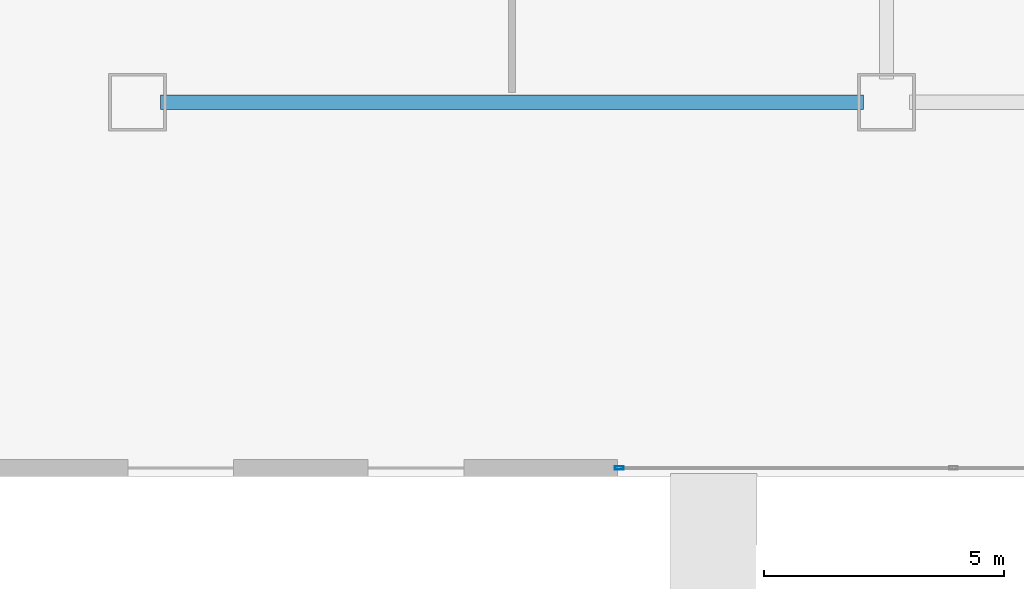
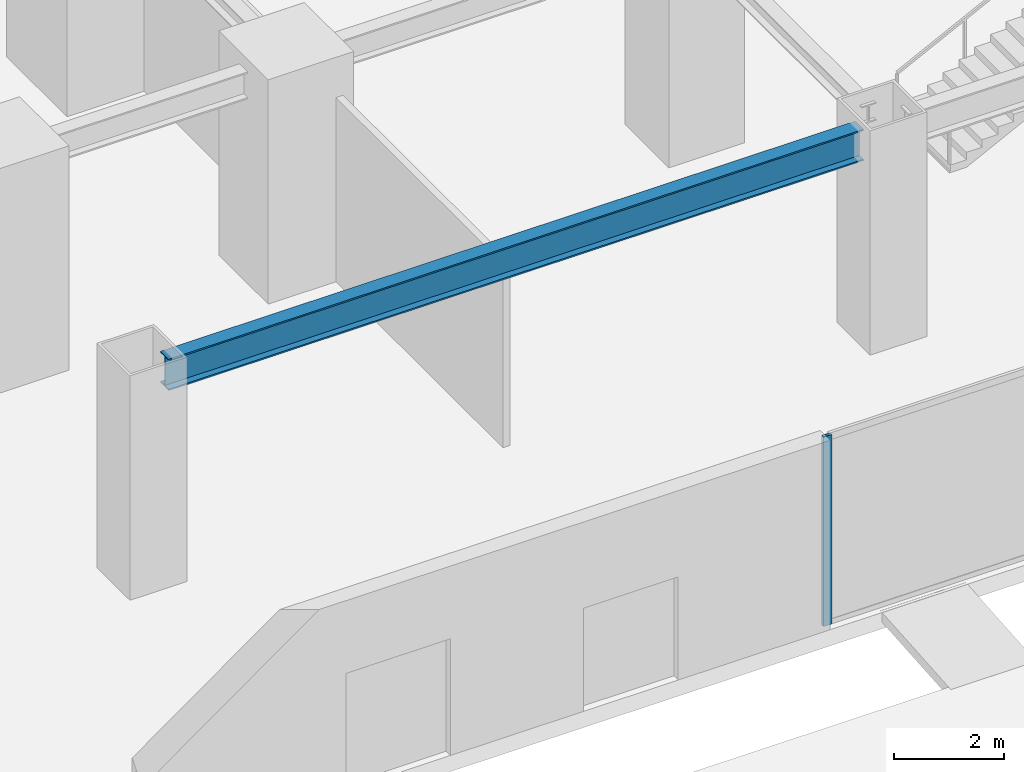
# One storey, part 2 of 18: 1 beam, 1 member, 1 element without a shape of its own.
"""IFC4 building model written with IfcOpenShell, lengths in metres."""

from ifc_helpers import new_model, si_unit, direction, frame, origin, origin_2d, place, context, subcontext, project, spatial, hollow_rectangle, i_section, extrude, source, transform, mapped, material, layer, layer_set, material_profile, profile_set, type_object, element, aggregate, save


model = new_model("IFC4")

# Units and contexts
model_context = context("Model", 3, precision=1e-05, world=origin(), true_north=direction((0.0, 1.0)))
body_context = subcontext(model_context, "Body", "Model", "MODEL_VIEW")
ifc_project = project(units=[si_unit("LENGTHUNIT", "METRE"), si_unit("AREAUNIT", "SQUARE_METRE"), si_unit("VOLUMEUNIT", "CUBIC_METRE"), si_unit("PLANEANGLEUNIT", "RADIAN"), si_unit("MASSUNIT", "GRAM", prefix="KILO")], contexts=[model_context])

# Site, building, storey
site_placement = place(None, origin())
site = spatial("IfcSite", under=ifc_project, at=site_placement, CompositionType="ELEMENT")
building_placement = place(site_placement, origin())
building = spatial("IfcBuilding", under=site, at=building_placement, Name="Sumidabori Civic Tower", CompositionType="ELEMENT")
storey_placement = place(building_placement, origin())
storey = spatial("IfcBuildingStorey", under=building, at=storey_placement, Name="L00", CompositionType="ELEMENT", Elevation=0.0)

# Beam
ifc_material_1 = material(Name="Steel SN490", Category="steel")
ifc_material_profile_1 = material_profile(ifc_material_1, i_section(OverallWidth=0.300048828125, OverallDepth=0.699951171875, WebThickness=0.01708984375, FlangeThickness=0.031982421875, at=origin_2d()), Name="HE 700 B")
ifc_profile_set_1 = profile_set([ifc_material_profile_1], Name="Steel SN490")
beam_type = type_object("IfcBeamType", Name="BM-GIRD-700", PredefinedType="BEAM", material=ifc_profile_set_1)
shared_shape_1 = source(origin(), body_context, "Body", "SweptSolid", [
    extrude(i_section(OverallWidth=0.300048828125, OverallDepth=0.699951171875, WebThickness=0.01708984375, FlangeThickness=0.031982421875, at=origin_2d()), origin(), (0.0, 0.0, 1.0), 14.64013671875),
])
beam_placement = place(storey_placement, frame((-23.52001953125, -25.199951171875, 4.3701171875), z_axis=(1.0, 0.0, 0.0), x_axis=(0.0, 1.0, 0.0)))
element("IfcBeam", 1, at=beam_placement, inside=storey, type_object=beam_type, Name="Primary Girder L00 GX-01", PredefinedType="BEAM", context=body_context, shape_type="MappedRepresentation", body=[
    mapped(shared_shape_1, transform((0.0, 0.0, 0.0), x_axis=(1.0, 0.0, 0.0), y_axis=(0.0, 1.0, 0.0), z_axis=(0.0, 0.0, 1.0), scale=1.0)),
])

# Curtain wall, member
ifc_material_2 = material(Name="Anodised Bronze Aluminium AW-6063-T6", Category="aluminium")
ifc_layer = layer(ifc_material_2, 0.179931640625, Name="Anodised Bronze Aluminium AW-6063-T6")
ifc_layer_set = layer_set([ifc_layer], Name="Anodised Bronze Aluminium AW-6063-T6")
curtain_wall_type = type_object("IfcCurtainWallType", Name="CW-SYS-1", PredefinedType="NOTDEFINED", material=ifc_layer_set)
curtain_wall_placement = place(storey_placement, origin())
curtain_wall = element("IfcCurtainWall", 2, at=curtain_wall_placement, inside=storey, type_object=curtain_wall_type, Name="Curtain Wall CW:L00:SOUTH", PredefinedType="NOTDEFINED")
ifc_material_profile_2 = material_profile(ifc_material_2, hollow_rectangle(XDim=0.070068359375, YDim=0.179931640625, WallThickness=0.006103515625, at=origin_2d()), Name="ALU MULLION 180x70")
ifc_profile_set_2 = profile_set([ifc_material_profile_2], Name="Anodised Bronze Aluminium AW-6063-T6")
member_type = type_object("IfcMemberType", Name="CW-MUL-180", PredefinedType="MULLION", material=ifc_profile_set_2)
shared_shape_2 = source(origin(), body_context, "Body", "SweptSolid", [
    extrude(hollow_rectangle(XDim=0.070068359375, YDim=0.179931640625, WallThickness=0.006103515625, at=origin_2d()), origin(), (0.0, 0.0, 1.0), 4.219970703125),
])
member_placement = place(storey_placement, frame((-13.965087890625, -32.820068359375, 0.0), z_axis=(0.0, 0.0, 1.0), x_axis=(0.0, -1.0, 0.0)))
member = element("IfcMember", 3, at=member_placement, type_object=member_type, Name="CW-1 mullion 5", PredefinedType="MULLION", context=body_context, shape_type="MappedRepresentation", body=[
    mapped(shared_shape_2, transform((0.0, 0.0, 0.0), x_axis=(1.0, 0.0, 0.0), y_axis=(0.0, 1.0, 0.0), z_axis=(0.0, 0.0, 1.0), scale=1.0)),
])
aggregate(curtain_wall, [member])

save(model, "model.ifc")
